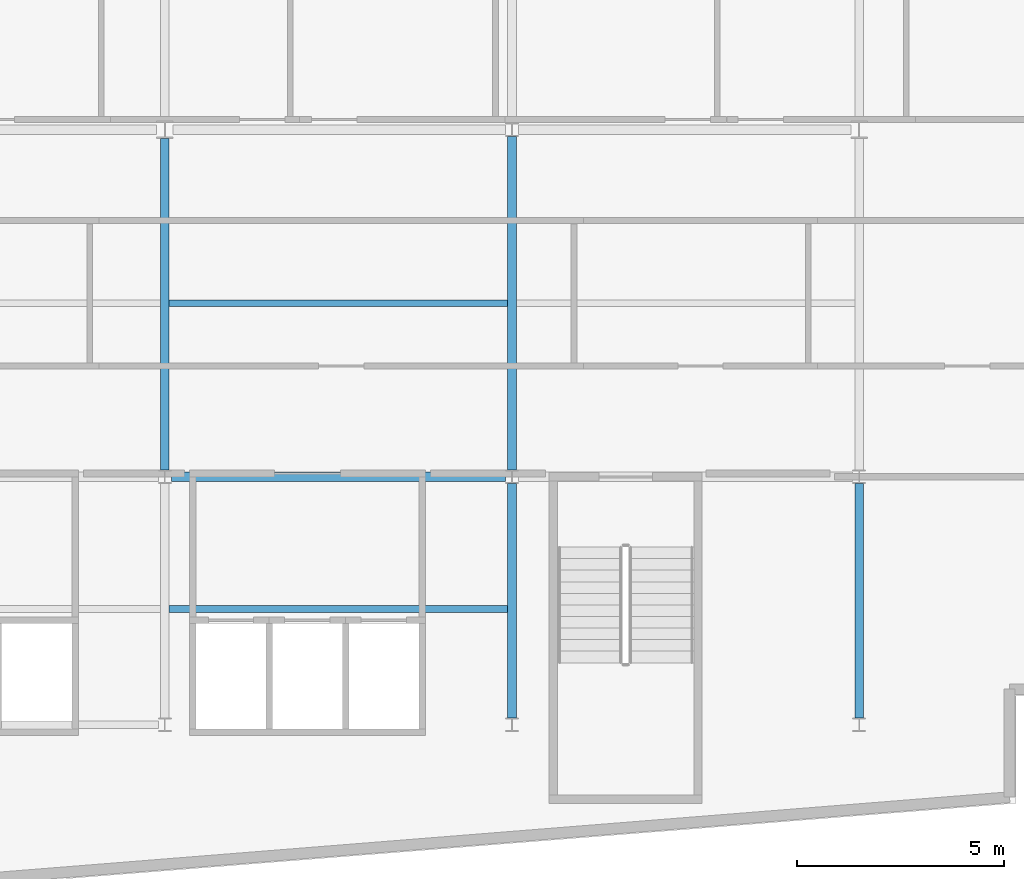
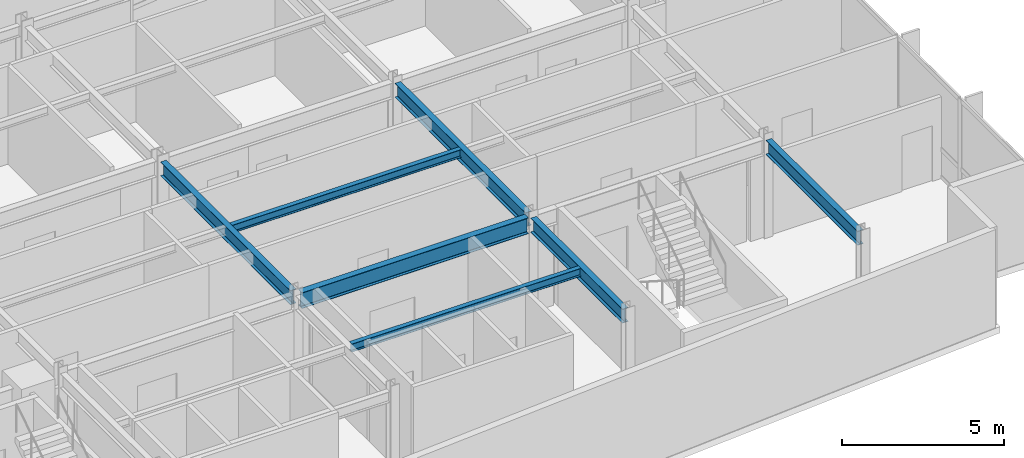
# One storey, part 4 of 18: 7 beams.
"""IFC4 building model written with IfcOpenShell, lengths in metres."""

from ifc_helpers import new_model, si_unit, direction, frame, origin, origin_2d, place, context, subcontext, project, spatial, i_section, extrude, material, material_profile, profile_set, type_object, element, save


model = new_model("IFC4")

# Units and contexts
model_context = context("Model", 3, precision=1e-05, world=origin(), true_north=direction((0.0, 1.0)))
body_context = subcontext(model_context, "Body", "Model", "MODEL_VIEW")
ifc_project = project(units=[si_unit("LENGTHUNIT", "METRE"), si_unit("AREAUNIT", "SQUARE_METRE"), si_unit("VOLUMEUNIT", "CUBIC_METRE"), si_unit("PLANEANGLEUNIT", "RADIAN"), si_unit("MASSUNIT", "GRAM", prefix="KILO")], contexts=[model_context])

# Site, building, storey
site_placement = place(None, origin())
site = spatial("IfcSite", under=ifc_project, at=site_placement, CompositionType="ELEMENT")
building_placement = place(site_placement, origin())
building = spatial("IfcBuilding", under=site, at=building_placement, Name="Varnakote Quay Hospital", CompositionType="ELEMENT")
storey_placement = place(building_placement, frame((0.0, 0.0, 107.300048828125)))
storey = spatial("IfcBuildingStorey", under=building, at=storey_placement, Name="L26", CompositionType="ELEMENT", Elevation=107.300048828125)

# Beams
ifc_material_1 = material(Name="Structural steel AS/NZS 3679.1 Grade 350 L0 (fy 340 MPa)", Category="steel")
ifc_material_profile_1 = material_profile(ifc_material_1, i_section(OverallWidth=0.208984375, OverallDepth=0.532958984375, WebThickness=0.01025390625, FlangeThickness=0.015625, FilletRadius=0.013916015625, at=origin_2d()), Name="530UB92.4")
ifc_profile_set_1 = profile_set([ifc_material_profile_1], Name="Structural steel AS/NZS 3679.1 Grade 350 L0 (fy 340 MPa)")
beam_type_1 = type_object("IfcBeamType", Name="BM-STL-530UB92-4", PredefinedType="BEAM", material=ifc_profile_set_1)
beam_1_placement = place(storey_placement, frame((33.60009765625, 12.160400390625, 3.443359375), z_axis=(0.0, 1.0, 0.0), x_axis=(-1.0, 0.0, 0.0)))
element("IfcBeam", 1, at=beam_1_placement, inside=storey, type_object=beam_type_1, Name="L26 Primary Tie Beam", PredefinedType="BEAM", context=body_context, shape_type="SweptSolid", body=[
    extrude(i_section(OverallWidth=0.208984375, OverallDepth=0.532958984375, WebThickness=0.01025390625, FlangeThickness=0.015625, FilletRadius=0.013916015625, at=origin_2d()), origin(), (0.0, 0.0, 1.0), 8.029541015625),
])
beam_2_placement = place(storey_placement, frame((42.0, 6.160400390625, 3.443359375), z_axis=(0.0, 1.0, 0.0), x_axis=(-1.0, 0.0, 0.0)))
element("IfcBeam", 2, at=beam_2_placement, inside=storey, type_object=beam_type_1, Name="L26 Primary Tie Beam", PredefinedType="BEAM", context=body_context, shape_type="SweptSolid", body=[
    extrude(i_section(OverallWidth=0.208984375, OverallDepth=0.532958984375, WebThickness=0.01025390625, FlangeThickness=0.015625, FilletRadius=0.013916015625, at=origin_2d()), origin(), (0.0, 0.0, 1.0), 5.67919921875),
])
beam_3_placement = place(storey_placement, frame((42.0, 12.160400390625, 3.443359375), z_axis=(0.0, 1.0, 0.0), x_axis=(-1.0, 0.0, 0.0)))
element("IfcBeam", 3, at=beam_3_placement, inside=storey, type_object=beam_type_1, Name="L26 Primary Tie Beam", PredefinedType="BEAM", context=body_context, shape_type="SweptSolid", body=[
    extrude(i_section(OverallWidth=0.208984375, OverallDepth=0.532958984375, WebThickness=0.01025390625, FlangeThickness=0.015625, FilletRadius=0.013916015625, at=origin_2d()), origin(), (0.0, 0.0, 1.0), 8.0791015625),
])
beam_4_placement = place(storey_placement, frame((50.39990234375, 6.160400390625, 3.443359375), z_axis=(0.0, 1.0, 0.0), x_axis=(-1.0, 0.0, 0.0)))
element("IfcBeam", 4, at=beam_4_placement, inside=storey, type_object=beam_type_1, Name="L26 Primary Tie Beam", PredefinedType="BEAM", context=body_context, shape_type="SweptSolid", body=[
    extrude(i_section(OverallWidth=0.208984375, OverallDepth=0.532958984375, WebThickness=0.01025390625, FlangeThickness=0.015625, FilletRadius=0.013916015625, at=origin_2d()), origin(), (0.0, 0.0, 1.0), 5.67919921875),
])
ifc_material_2 = material(Name="Structural steel AS/NZS 3679.1 Grade 350 L0 (fy 340 MPa)", Category="steel")
ifc_material_profile_2 = material_profile(ifc_material_2, i_section(OverallWidth=0.22802734375, OverallDepth=0.60205078125, WebThickness=0.010498046875, FlangeThickness=0.014892578125, FilletRadius=0.013916015625, at=origin_2d()), Name="610UB101")
ifc_profile_set_2 = profile_set([ifc_material_profile_2], Name="Structural steel AS/NZS 3679.1 Grade 350 L0 (fy 340 MPa)")
beam_type_2 = type_object("IfcBeamType", Name="BM-STL-610UB101", PredefinedType="BEAM", material=ifc_profile_set_2)
beam_5_placement = place(storey_placement, frame((33.75439453125, 12.0, 3.408935546875), z_axis=(1.0, 0.0, 0.0), x_axis=(0.0, 1.0, 0.0)))
element("IfcBeam", 5, at=beam_5_placement, inside=storey, type_object=beam_type_2, Name="L26 Primary Floor Beam", PredefinedType="BEAM", context=body_context, shape_type="SweptSolid", body=[
    extrude(i_section(OverallWidth=0.22802734375, OverallDepth=0.60205078125, WebThickness=0.010498046875, FlangeThickness=0.014892578125, FilletRadius=0.013916015625, at=origin_2d()), origin(), (0.0, 0.0, 1.0), 8.091064453125),
])
ifc_material_3 = material(Name="Structural steel AS/NZS 3679.1 Grade 350 L0 (fy 340 MPa)", Category="steel")
ifc_material_profile_3 = material_profile(ifc_material_3, i_section(OverallWidth=0.166015625, OverallDepth=0.306884765625, WebThickness=0.006591796875, FlangeThickness=0.01171875, FilletRadius=0.011474609375, at=origin_2d()), Name="310UB46.2")
ifc_profile_set_3 = profile_set([ifc_material_profile_3], Name="Structural steel AS/NZS 3679.1 Grade 350 L0 (fy 340 MPa)")
beam_type_3 = type_object("IfcBeamType", Name="JST-STL-310UB46-2", PredefinedType="JOIST", material=ifc_profile_set_3)
for number, where, z_axis, x_axis, name in (
    (6, (33.70458984375, 8.800048828125, 3.556396484375), (1.0, 0.0, 0.0), (0.0, 1.0, 0.0), "L26 Composite Floor Joist"),
    (7, (33.70458984375, 16.199951171875, 3.556396484375), (1.0, 0.0, 0.0), (0.0, 1.0, 0.0), "L26 Composite Floor Joist"),
):
    element("IfcBeam", number, at=place(storey_placement, frame(where, z_axis=z_axis, x_axis=x_axis)), inside=storey, type_object=beam_type_3, Name=name, PredefinedType="JOIST", context=body_context, shape_type="SweptSolid", body=[
        extrude(i_section(OverallWidth=0.166015625, OverallDepth=0.306884765625, WebThickness=0.006591796875, FlangeThickness=0.01171875, FilletRadius=0.011474609375, at=origin_2d()), origin(), (0.0, 0.0, 1.0), 8.19091796875),
    ])

save(model, "model.ifc")
